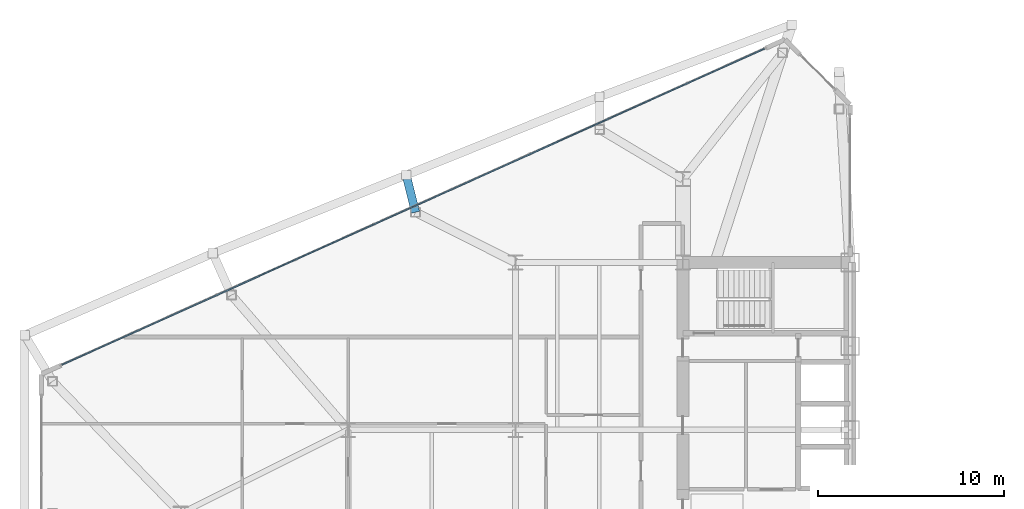
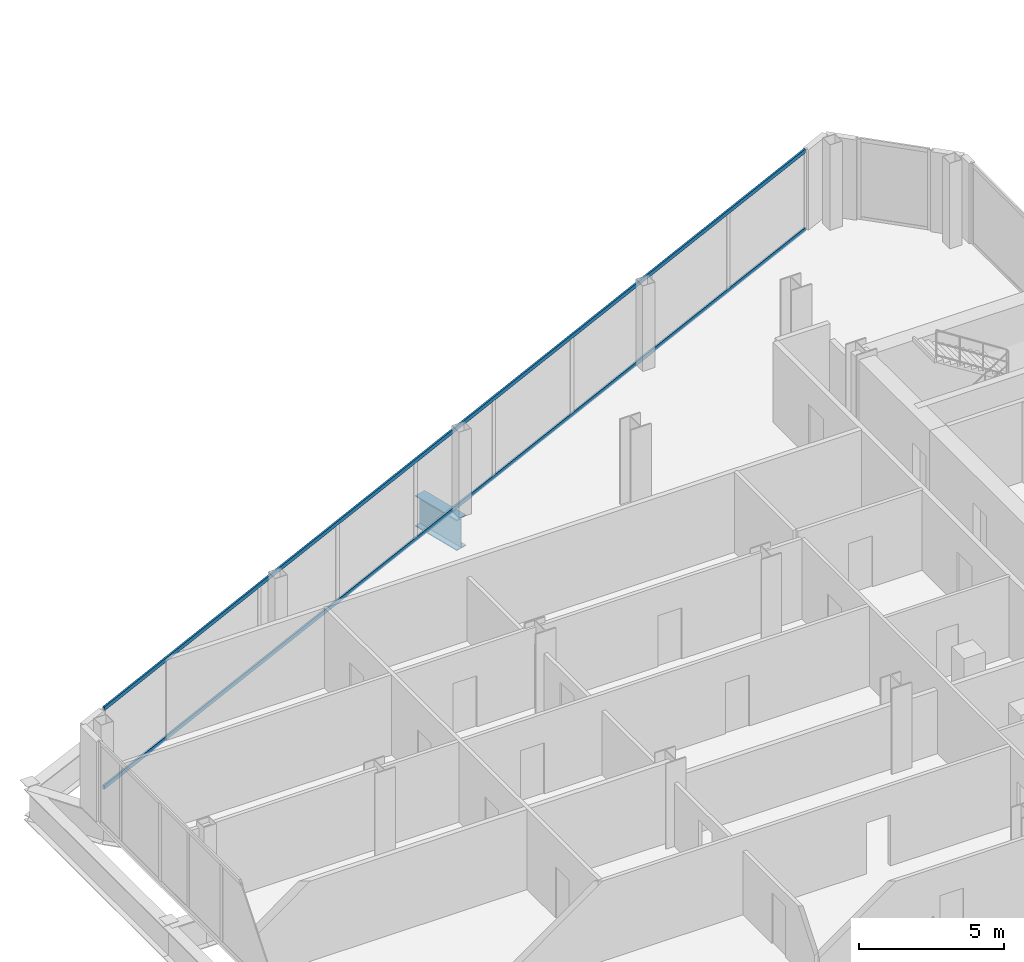
# One storey, part 9 of 29: 2 members, 1 beam, 1 element without a shape of its own.
"""IFC4 building model written with IfcOpenShell, lengths in metres."""

from ifc_helpers import new_model, si_unit, direction, frame, origin, origin_2d, place, context, subcontext, project, spatial, rectangle, i_section, extrude, source, transform, mapped, material, layer, layer_set, material_profile, profile_set, type_object, type_shapes, element, aggregate, save


model = new_model("IFC4")

# Units and contexts
model_context = context("Model", 3, precision=1e-05, world=origin(), true_north=direction((0.0, 1.0)))
body_context = subcontext(model_context, "Body", "Model", "MODEL_VIEW")
ifc_project = project(units=[si_unit("LENGTHUNIT", "METRE"), si_unit("AREAUNIT", "SQUARE_METRE"), si_unit("VOLUMEUNIT", "CUBIC_METRE"), si_unit("PLANEANGLEUNIT", "RADIAN"), si_unit("MASSUNIT", "GRAM", prefix="KILO")], contexts=[model_context])

# Site, building, storey
site_placement = place(None, origin())
site = spatial("IfcSite", under=ifc_project, at=site_placement, CompositionType="ELEMENT")
building_placement = place(site_placement, origin())
building = spatial("IfcBuilding", under=site, at=building_placement, Name="Seokmaru Belvedere", CompositionType="ELEMENT")
storey_placement = place(building_placement, frame((0.0, 0.0, 62.10009765625)))
storey = spatial("IfcBuildingStorey", under=building, at=storey_placement, Name="L16", CompositionType="ELEMENT", Elevation=62.10009765625)

# Beam
ifc_material_1 = material(Name="Steel HSA650 (650 MPa)", Category="steel")
ifc_material_profile_1 = material_profile(ifc_material_1, i_section(OverallWidth=0.449951171875, OverallDepth=1.300048828125, WebThickness=0.02197265625, FlangeThickness=0.0380859375, at=origin_2d()), Name="BH-1300x450x22x38")
ifc_profile_set_1 = profile_set([ifc_material_profile_1], Name="Steel HSA650 (650 MPa)")
beam_type = type_object("IfcBeamType", Name="Observatory Long-Span Roof Girder BH-1300", PredefinedType="BEAM", material=ifc_profile_set_1)
shared_shape_1 = source(origin(), body_context, "Body", "SweptSolid", [
    extrude(i_section(OverallWidth=0.449951171875, OverallDepth=1.300048828125, WebThickness=0.02197265625, FlangeThickness=0.0380859375, at=origin_2d()), origin(), (0.0, 0.0, 1.0), 2.06103515625),
])
type_shapes(beam_type, [shared_shape_1])
beam_placement = place(storey_placement, frame((-51.378173828125, 18.2041015625, -0.8701171875), z_axis=(0.244123913396, -0.96974404608, 0.0), x_axis=(0.96974404608, 0.244123913396, 0.0)))
element("IfcBeam", 1, at=beam_placement, inside=storey, type_object=beam_type, Name="L16 W Flank Setback Step Girder N-2", PredefinedType="BEAM", context=body_context, shape_type="MappedRepresentation", body=[
    mapped(shared_shape_1, transform((0.0, 0.0, 0.0), scale=1.0)),
])

# Curtain wall, members
ifc_material_2 = material(Name="Bronze Triple Insulating Glass", Category="glass")
ifc_layer = layer(ifc_material_2, 0.195068359375)
ifc_layer_set = layer_set([ifc_layer], Name="Bronze Triple Insulating Glass")
curtain_wall_type = type_object("IfcCurtainWallType", Name="Lower-Mid Tapered Curtain Wall System CW-3", PredefinedType="NOTDEFINED", material=ifc_layer_set)
curtain_wall_placement = place(storey_placement, origin())
curtain_wall = element("IfcCurtainWall", 2, at=curtain_wall_placement, inside=storey, type_object=curtain_wall_type, Name="L16 Curtain Wall WF3", PredefinedType="NOTDEFINED")
ifc_material_3 = material(Name="Anodised Bronze Aluminium", Category="aluminium")
ifc_material_profile_2 = material_profile(ifc_material_3, rectangle(XDim=0.070068359375, YDim=0.1650390625, at=origin_2d()), Name="CW-T-70x165")
ifc_profile_set_2 = profile_set([ifc_material_profile_2], Name="Anodised Bronze Aluminium")
member_type = type_object("IfcMemberType", Name="Bronze Unitised Transom 70x165", PredefinedType="USERDEFINED", material=ifc_profile_set_2)
shared_shape_2 = source(origin(), body_context, "Body", "SweptSolid", [
    extrude(rectangle(XDim=0.070068359375, YDim=0.1650390625, at=origin_2d()), origin(), (0.0, 0.0, 1.0), 41.423583984375),
])
type_shapes(member_type, [shared_shape_2])
member_1_placement = place(storey_placement, frame((-32.112548828125, 24.99951171875, 0.034912109375), z_axis=(-0.911918637916, -0.410371048956, 0.0), x_axis=(0.410371048956, -0.911918637916, 0.0)))
member_1 = element("IfcMember", 3, at=member_1_placement, type_object=member_type, Name="CW:L16:WF3 Continuous Transom 1", ObjectType="TRANSOM", PredefinedType="USERDEFINED", context=body_context, shape_type="MappedRepresentation", body=[
    mapped(shared_shape_2, transform((0.0, 0.0, 0.0), scale=1.0)),
])
member_2_placement = place(storey_placement, frame((-32.112548828125, 24.99951171875, 3.344970703125), z_axis=(-0.911918637916, -0.410371048956, 0.0), x_axis=(0.410371048956, -0.911918637916, 0.0)))
member_2 = element("IfcMember", 4, at=member_2_placement, type_object=member_type, Name="CW:L16:WF3 Continuous Transom 2", ObjectType="TRANSOM", PredefinedType="USERDEFINED", context=body_context, shape_type="MappedRepresentation", body=[
    mapped(shared_shape_2, transform((0.0, 0.0, 0.0), scale=1.0)),
])
aggregate(curtain_wall, [member_1, member_2])

save(model, "model.ifc")
